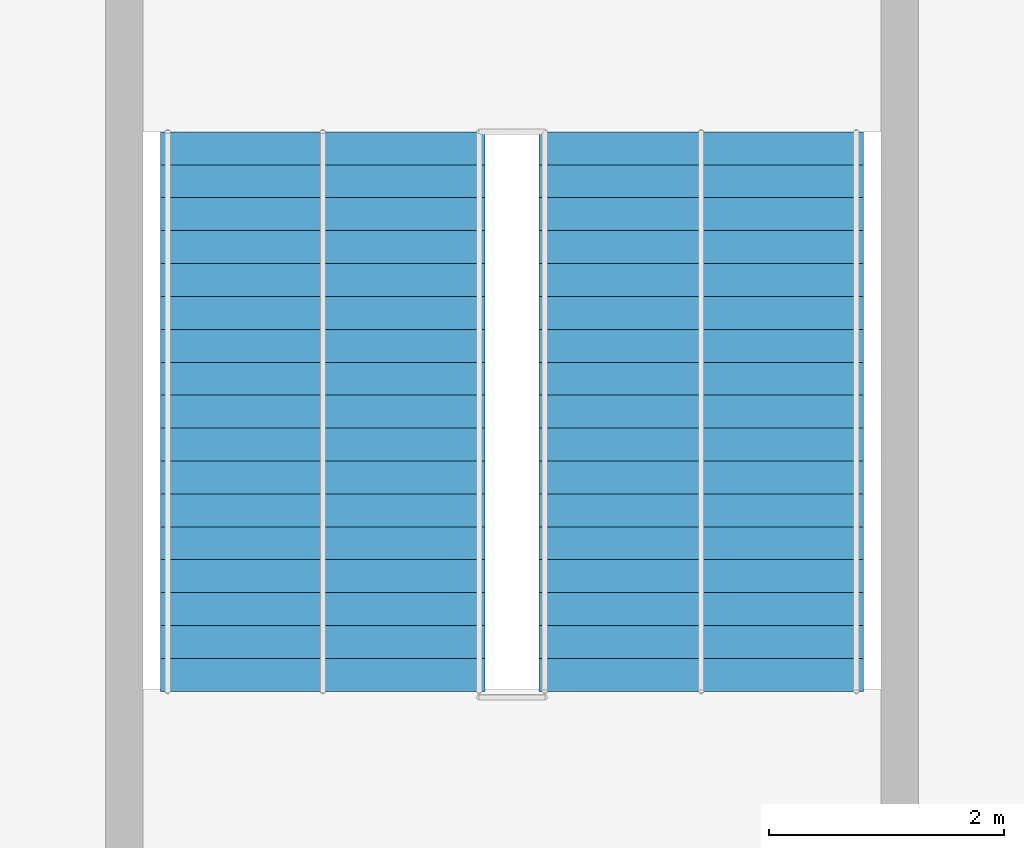
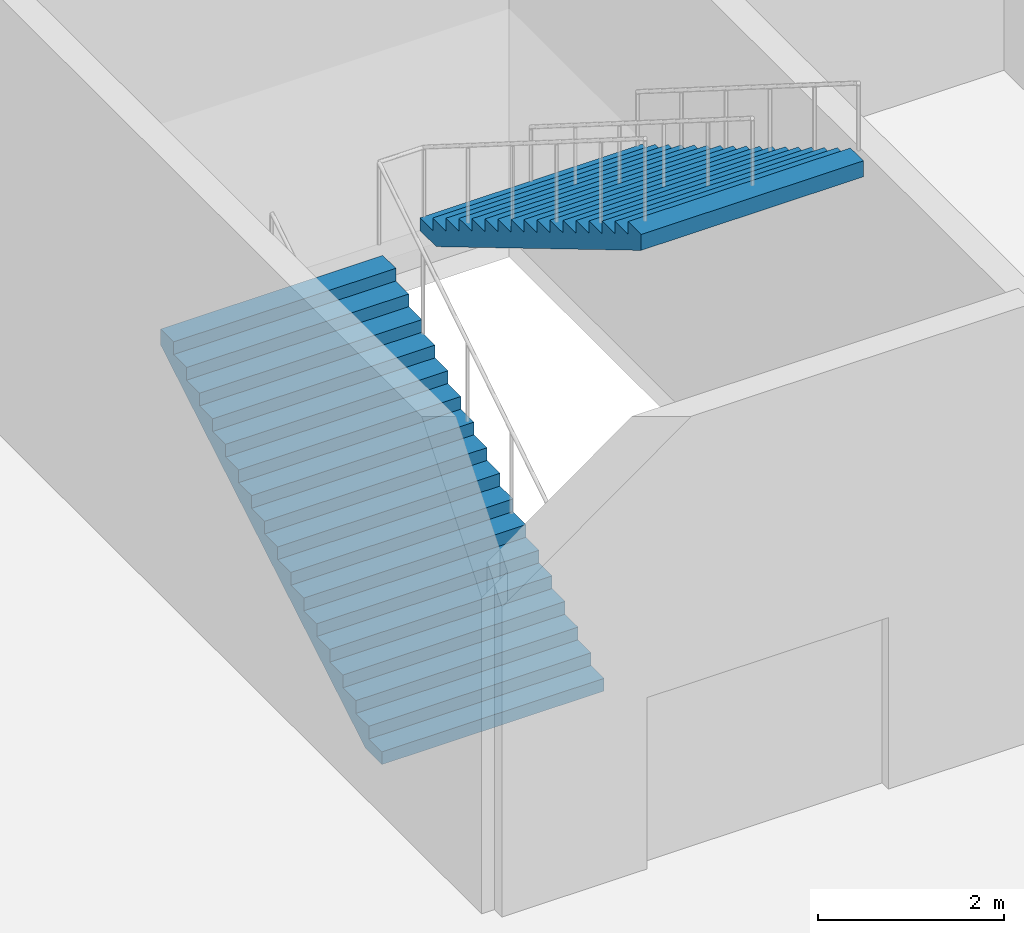
# One storey, part 67 of 84: 2 stair flights, 1 element without a shape of its own.
"""IFC4 building model written with IfcOpenShell, lengths in metres."""

from ifc_helpers import new_model, si_unit, direction, frame, origin, place, context, subcontext, project, spatial, polygons, material, type_object, element, aggregate, save


model = new_model("IFC4")

# Units and contexts
model_context = context("Model", 3, precision=1e-05, world=origin(), true_north=direction((0.0, 1.0)))
body_context = subcontext(model_context, "Body", "Model", "MODEL_VIEW")
ifc_project = project(units=[si_unit("LENGTHUNIT", "METRE"), si_unit("AREAUNIT", "SQUARE_METRE"), si_unit("VOLUMEUNIT", "CUBIC_METRE"), si_unit("PLANEANGLEUNIT", "RADIAN"), si_unit("MASSUNIT", "GRAM", prefix="KILO")], contexts=[model_context])

# Site, building, storey
site_placement = place(None, origin())
site = spatial("IfcSite", under=ifc_project, at=site_placement, CompositionType="ELEMENT")
building_placement = place(site_placement, origin())
building = spatial("IfcBuilding", under=site, at=building_placement, Name="Kisiwana Market Hall", CompositionType="ELEMENT")
storey_placement = place(building_placement, origin())
storey = spatial("IfcBuildingStorey", under=building, at=storey_placement, Name="L00", CompositionType="ELEMENT", Elevation=0.0)

# Stair, stair flights
ifc_material_1 = material(Name="Concrete C32/40", Category="concrete")
stair_type = type_object("IfcStairType", Name="ST-ESC-6000", PredefinedType="TWO_STRAIGHT_RUN_STAIR", material=ifc_material_1)
stair_placement = place(storey_placement, origin())
stair = element("IfcStair", 1, at=stair_placement, inside=storey, type_object=stair_type, Name="Escape stair ST-N6-L00", PredefinedType="TWO_STRAIGHT_RUN_STAIR")
ifc_material_2 = material(Name="Concrete C32/40", Category="concrete")
stair_flight_type = type_object("IfcStairFlightType", Name="SF-ESC-6000", PredefinedType="STRAIGHT", material=ifc_material_2)
stair_flight_1_placement = place(storey_placement, frame((141.989990234375, 92.760009765625, 0.0), z_axis=(0.0, 0.0, 1.0), x_axis=(0.0, 1.0, 0.0)))
stair_flight_1 = element("IfcStairFlight", 2, at=stair_flight_1_placement, type_object=stair_flight_type, Name="ST-N6-L00 flight 1", NumberOfRisers=18, NumberOfTreads=17, PredefinedType="STRAIGHT", RiserHeight=0.166667, TreadLength=0.28, context=body_context, shape_type="Tessellation", body=[
    polygons([(0.0, -1.380127, 0.0), (0.0, -0.690125, 0.0), (0.0, -0.000122, 0.0), (0.0, 0.68988, 0.0), (0.0, 1.379883, 0.0), (0.0, -1.380127, 0.166748), (0.0, -0.690125, 0.166748), (0.0, -0.000122, 0.166748), (0.0, 0.68988, 0.166748), (0.0, 1.379883, 0.166748), (0.280029, -1.380127, 0.166748), (0.280029, -0.690125, 0.166748), (0.280029, -0.000122, 0.166748), (0.280029, 0.68988, 0.166748), (0.280029, 1.379883, 0.166748), (0.280029, -1.380127, 0.333252), (0.280029, -0.690125, 0.333252), (0.280029, -0.000122, 0.333252), (0.280029, 0.68988, 0.333252), (0.280029, 1.379883, 0.333252), (0.560059, -1.380127, 0.333252), (0.560059, -0.690125, 0.333252), (0.560059, -0.000122, 0.333252), (0.560059, 0.68988, 0.333252), (0.560059, 1.379883, 0.333252), (0.560059, -1.380127, 0.5), (0.560059, -0.690125, 0.5), (0.560059, -0.000122, 0.5), (0.560059, 0.68988, 0.5), (0.560059, 1.379883, 0.5), (0.840088, -1.380127, 0.5), (0.840088, -0.690125, 0.5), (0.840088, -0.000122, 0.5), (0.840088, 0.68988, 0.5), (0.840088, 1.379883, 0.5), (0.840088, -1.380127, 0.666748), (0.840088, -0.690125, 0.666748), (0.840088, -0.000122, 0.666748), (0.840088, 0.68988, 0.666748), (0.840088, 1.379883, 0.666748), (1.120117, -1.380127, 0.666748), (1.120117, -0.690125, 0.666748), (1.120117, -0.000122, 0.666748), (1.120117, 0.68988, 0.666748), (1.120117, 1.379883, 0.666748), (1.120117, -1.380127, 0.833252), (1.120117, -0.690125, 0.833252), (1.120117, -0.000122, 0.833252), (1.120117, 0.68988, 0.833252), (1.120117, 1.379883, 0.833252), (1.399902, -1.380127, 0.833252), (1.399902, -0.690125, 0.833252), (1.399902, -0.000122, 0.833252), (1.399902, 0.68988, 0.833252), (1.399902, 1.379883, 0.833252), (1.399902, -1.380127, 1.0), (1.399902, -0.690125, 1.0), (1.399902, -0.000122, 1.0), (1.399902, 0.68988, 1.0), (1.399902, 1.379883, 1.0), (1.679932, -1.380127, 1.0), (1.679932, -0.690125, 1.0), (1.679932, -0.000122, 1.0), (1.679932, 0.68988, 1.0), (1.679932, 1.379883, 1.0), (1.679932, -1.380127, 1.166748), (1.679932, -0.690125, 1.166748), (1.679932, -0.000122, 1.166748), (1.679932, 0.68988, 1.166748), (1.679932, 1.379883, 1.166748), (1.959961, -1.380127, 1.166748), (1.959961, -0.690125, 1.166748), (1.959961, -0.000122, 1.166748), (1.959961, 0.68988, 1.166748), (1.959961, 1.379883, 1.166748), (1.959961, -1.380127, 1.333252), (1.959961, -0.690125, 1.333252), (1.959961, -0.000122, 1.333252), (1.959961, 0.68988, 1.333252), (1.959961, 1.379883, 1.333252), (2.23999, -1.380127, 1.333252), (2.23999, -0.690125, 1.333252), (2.23999, -0.000122, 1.333252), (2.23999, 0.68988, 1.333252), (2.23999, 1.379883, 1.333252), (2.23999, -1.380127, 1.5), (2.23999, -0.690125, 1.5), (2.23999, -0.000122, 1.5), (2.23999, 0.68988, 1.5), (2.23999, 1.379883, 1.5), (2.52002, -1.380127, 1.5), (2.52002, -0.690125, 1.5), (2.52002, -0.000122, 1.5), (2.52002, 0.68988, 1.5), (2.52002, 1.379883, 1.5), (2.52002, -1.380127, 1.666748), (2.52002, -0.690125, 1.666748), (2.52002, -0.000122, 1.666748), (2.52002, 0.68988, 1.666748), (2.52002, 1.379883, 1.666748), (2.800049, -1.380127, 1.666748), (2.800049, -0.690125, 1.666748), (2.800049, -0.000122, 1.666748), (2.800049, 0.68988, 1.666748), (2.800049, 1.379883, 1.666748), (2.800049, -1.380127, 1.833252), (2.800049, -0.690125, 1.833252), (2.800049, -0.000122, 1.833252), (2.800049, 0.68988, 1.833252), (2.800049, 1.379883, 1.833252), (3.080078, -1.380127, 1.833252), (3.080078, -0.690125, 1.833252), (3.080078, -0.000122, 1.833252), (3.080078, 0.68988, 1.833252), (3.080078, 1.379883, 1.833252), (3.080078, -1.380127, 2.0), (3.080078, -0.690125, 2.0), (3.080078, -0.000122, 2.0), (3.080078, 0.68988, 2.0), (3.080078, 1.379883, 2.0), (3.360107, -1.380127, 2.0), (3.360107, -0.690125, 2.0), (3.360107, -0.000122, 2.0), (3.360107, 0.68988, 2.0), (3.360107, 1.379883, 2.0), (3.360107, -1.380127, 2.166748), (3.360107, -0.690125, 2.166748), (3.360107, -0.000122, 2.166748), (3.360107, 0.68988, 2.166748), (3.360107, 1.379883, 2.166748), (3.639893, -1.380127, 2.166748), (3.639893, -0.690125, 2.166748), (3.639893, -0.000122, 2.166748), (3.639893, 0.68988, 2.166748), (3.639893, 1.379883, 2.166748), (3.639893, -1.380127, 2.333252), (3.639893, -0.690125, 2.333252), (3.639893, -0.000122, 2.333252), (3.639893, 0.68988, 2.333252), (3.639893, 1.379883, 2.333252), (3.919922, -1.380127, 2.333252), (3.919922, -0.690125, 2.333252), (3.919922, -0.000122, 2.333252), (3.919922, 0.68988, 2.333252), (3.919922, 1.379883, 2.333252), (3.919922, -1.380127, 2.5), (3.919922, -0.690125, 2.5), (3.919922, -0.000122, 2.5), (3.919922, 0.68988, 2.5), (3.919922, 1.379883, 2.5), (4.199951, -1.380127, 2.5), (4.199951, -0.690125, 2.5), (4.199951, -0.000122, 2.5), (4.199951, 0.68988, 2.5), (4.199951, 1.379883, 2.5), (4.199951, -1.380127, 2.666748), (4.199951, -0.690125, 2.666748), (4.199951, -0.000122, 2.666748), (4.199951, 0.68988, 2.666748), (4.199951, 1.379883, 2.666748), (4.47998, -1.380127, 2.666748), (4.47998, -0.690125, 2.666748), (4.47998, -0.000122, 2.666748), (4.47998, 0.68988, 2.666748), (4.47998, 1.379883, 2.666748), (4.47998, -1.380127, 2.833252), (4.47998, -0.690125, 2.833252), (4.47998, -0.000122, 2.833252), (4.47998, 0.68988, 2.833252), (4.47998, 1.379883, 2.833252), (4.76001, -1.380127, 2.833252), (4.76001, -0.690125, 2.833252), (4.76001, -0.000122, 2.833252), (4.76001, 0.68988, 2.833252), (4.76001, 1.379883, 2.833252), (4.76001, -1.380127, 2.624023), (4.76001, -0.690125, 2.624023), (4.76001, -0.000122, 2.624023), (4.76001, 0.68988, 2.624023), (4.76001, 1.379883, 2.624023), (0.351807, -1.380127, 0.0), (0.351807, -0.690125, 0.0), (0.351807, -0.000122, 0.0), (0.351807, 0.68988, 0.0), (0.351807, 1.379883, 0.0)], [[[1, 6, 7, 2]], [[2, 7, 8, 3]], [[3, 8, 9, 4]], [[4, 9, 10, 5]], [[6, 11, 12, 7]], [[7, 12, 13, 8]], [[8, 13, 14, 9]], [[9, 14, 15, 10]], [[11, 16, 17, 12]], [[12, 17, 18, 13]], [[13, 18, 19, 14]], [[14, 19, 20, 15]], [[16, 21, 22, 17]], [[17, 22, 23, 18]], [[18, 23, 24, 19]], [[19, 24, 25, 20]], [[21, 26, 27, 22]], [[22, 27, 28, 23]], [[23, 28, 29, 24]], [[24, 29, 30, 25]], [[26, 31, 32, 27]], [[27, 32, 33, 28]], [[28, 33, 34, 29]], [[29, 34, 35, 30]], [[31, 36, 37, 32]], [[32, 37, 38, 33]], [[33, 38, 39, 34]], [[34, 39, 40, 35]], [[36, 41, 42, 37]], [[37, 42, 43, 38]], [[38, 43, 44, 39]], [[39, 44, 45, 40]], [[41, 46, 47, 42]], [[42, 47, 48, 43]], [[43, 48, 49, 44]], [[44, 49, 50, 45]], [[46, 51, 52, 47]], [[47, 52, 53, 48]], [[48, 53, 54, 49]], [[49, 54, 55, 50]], [[51, 56, 57, 52]], [[52, 57, 58, 53]], [[53, 58, 59, 54]], [[54, 59, 60, 55]], [[56, 61, 62, 57]], [[57, 62, 63, 58]], [[58, 63, 64, 59]], [[59, 64, 65, 60]], [[61, 66, 67, 62]], [[62, 67, 68, 63]], [[63, 68, 69, 64]], [[64, 69, 70, 65]], [[66, 71, 72, 67]], [[67, 72, 73, 68]], [[68, 73, 74, 69]], [[69, 74, 75, 70]], [[71, 76, 77, 72]], [[72, 77, 78, 73]], [[73, 78, 79, 74]], [[74, 79, 80, 75]], [[76, 81, 82, 77]], [[77, 82, 83, 78]], [[78, 83, 84, 79]], [[79, 84, 85, 80]], [[81, 86, 87, 82]], [[82, 87, 88, 83]], [[83, 88, 89, 84]], [[84, 89, 90, 85]], [[86, 91, 92, 87]], [[87, 92, 93, 88]], [[88, 93, 94, 89]], [[89, 94, 95, 90]], [[91, 96, 97, 92]], [[92, 97, 98, 93]], [[93, 98, 99, 94]], [[94, 99, 100, 95]], [[96, 101, 102, 97]], [[97, 102, 103, 98]], [[98, 103, 104, 99]], [[99, 104, 105, 100]], [[101, 106, 107, 102]], [[102, 107, 108, 103]], [[103, 108, 109, 104]], [[104, 109, 110, 105]], [[106, 111, 112, 107]], [[107, 112, 113, 108]], [[108, 113, 114, 109]], [[109, 114, 115, 110]], [[111, 116, 117, 112]], [[112, 117, 118, 113]], [[113, 118, 119, 114]], [[114, 119, 120, 115]], [[116, 121, 122, 117]], [[117, 122, 123, 118]], [[118, 123, 124, 119]], [[119, 124, 125, 120]], [[121, 126, 127, 122]], [[122, 127, 128, 123]], [[123, 128, 129, 124]], [[124, 129, 130, 125]], [[126, 131, 132, 127]], [[127, 132, 133, 128]], [[128, 133, 134, 129]], [[129, 134, 135, 130]], [[131, 136, 137, 132]], [[132, 137, 138, 133]], [[133, 138, 139, 134]], [[134, 139, 140, 135]], [[136, 141, 142, 137]], [[137, 142, 143, 138]], [[138, 143, 144, 139]], [[139, 144, 145, 140]], [[141, 146, 147, 142]], [[142, 147, 148, 143]], [[143, 148, 149, 144]], [[144, 149, 150, 145]], [[146, 151, 152, 147]], [[147, 152, 153, 148]], [[148, 153, 154, 149]], [[149, 154, 155, 150]], [[151, 156, 157, 152]], [[152, 157, 158, 153]], [[153, 158, 159, 154]], [[154, 159, 160, 155]], [[156, 161, 162, 157]], [[157, 162, 163, 158]], [[158, 163, 164, 159]], [[159, 164, 165, 160]], [[161, 166, 167, 162]], [[162, 167, 168, 163]], [[163, 168, 169, 164]], [[164, 169, 170, 165]], [[166, 171, 172, 167]], [[167, 172, 173, 168]], [[168, 173, 174, 169]], [[169, 174, 175, 170]], [[171, 176, 177, 172]], [[172, 177, 178, 173]], [[173, 178, 179, 174]], [[174, 179, 180, 175]], [[176, 181, 182, 177]], [[177, 182, 183, 178]], [[178, 183, 184, 179]], [[179, 184, 185, 180]], [[181, 1, 2, 182]], [[182, 2, 3, 183]], [[183, 3, 4, 184]], [[184, 4, 5, 185]], [[181, 176, 171, 166, 161, 156, 151, 146, 141, 136, 131, 126, 121, 116, 111, 106, 101, 96, 91, 86, 81, 76, 71, 66, 61, 56, 51, 46, 41, 36, 31, 26, 21, 16, 11, 6, 1]], [[5, 10, 15, 20, 25, 30, 35, 40, 45, 50, 55, 60, 65, 70, 75, 80, 85, 90, 95, 100, 105, 110, 115, 120, 125, 130, 135, 140, 145, 150, 155, 160, 165, 170, 175, 180, 185]]], closed=True),
])
stair_flight_2_placement = place(storey_placement, frame((145.2099609375, 97.52001953125, 3.0), z_axis=(0.0, 0.0, 1.0), x_axis=(0.0, -1.0, 0.0)))
stair_flight_2 = element("IfcStairFlight", 3, at=stair_flight_2_placement, type_object=stair_flight_type, Name="ST-N6-L00 flight 2", NumberOfRisers=18, NumberOfTreads=17, PredefinedType="STRAIGHT", RiserHeight=0.166667, TreadLength=0.28, context=body_context, shape_type="Tessellation", body=[
    polygons([(0.0, -1.380127, 0.0), (0.0, -0.690125, 0.0), (0.0, -0.000122, 0.0), (0.0, 0.68988, 0.0), (0.0, 1.379883, 0.0), (0.0, -1.380127, 0.166748), (0.0, -0.690125, 0.166748), (0.0, -0.000122, 0.166748), (0.0, 0.68988, 0.166748), (0.0, 1.379883, 0.166748), (0.280029, -1.380127, 0.166748), (0.280029, -0.690125, 0.166748), (0.280029, -0.000122, 0.166748), (0.280029, 0.68988, 0.166748), (0.280029, 1.379883, 0.166748), (0.280029, -1.380127, 0.333252), (0.280029, -0.690125, 0.333252), (0.280029, -0.000122, 0.333252), (0.280029, 0.68988, 0.333252), (0.280029, 1.379883, 0.333252), (0.560059, -1.380127, 0.333252), (0.560059, -0.690125, 0.333252), (0.560059, -0.000122, 0.333252), (0.560059, 0.68988, 0.333252), (0.560059, 1.379883, 0.333252), (0.560059, -1.380127, 0.5), (0.560059, -0.690125, 0.5), (0.560059, -0.000122, 0.5), (0.560059, 0.68988, 0.5), (0.560059, 1.379883, 0.5), (0.840088, -1.380127, 0.5), (0.840088, -0.690125, 0.5), (0.840088, -0.000122, 0.5), (0.840088, 0.68988, 0.5), (0.840088, 1.379883, 0.5), (0.840088, -1.380127, 0.666748), (0.840088, -0.690125, 0.666748), (0.840088, -0.000122, 0.666748), (0.840088, 0.68988, 0.666748), (0.840088, 1.379883, 0.666748), (1.120117, -1.380127, 0.666748), (1.120117, -0.690125, 0.666748), (1.120117, -0.000122, 0.666748), (1.120117, 0.68988, 0.666748), (1.120117, 1.379883, 0.666748), (1.120117, -1.380127, 0.833252), (1.120117, -0.690125, 0.833252), (1.120117, -0.000122, 0.833252), (1.120117, 0.68988, 0.833252), (1.120117, 1.379883, 0.833252), (1.399902, -1.380127, 0.833252), (1.399902, -0.690125, 0.833252), (1.399902, -0.000122, 0.833252), (1.399902, 0.68988, 0.833252), (1.399902, 1.379883, 0.833252), (1.399902, -1.380127, 1.0), (1.399902, -0.690125, 1.0), (1.399902, -0.000122, 1.0), (1.399902, 0.68988, 1.0), (1.399902, 1.379883, 1.0), (1.679932, -1.380127, 1.0), (1.679932, -0.690125, 1.0), (1.679932, -0.000122, 1.0), (1.679932, 0.68988, 1.0), (1.679932, 1.379883, 1.0), (1.679932, -1.380127, 1.166748), (1.679932, -0.690125, 1.166748), (1.679932, -0.000122, 1.166748), (1.679932, 0.68988, 1.166748), (1.679932, 1.379883, 1.166748), (1.959961, -1.380127, 1.166748), (1.959961, -0.690125, 1.166748), (1.959961, -0.000122, 1.166748), (1.959961, 0.68988, 1.166748), (1.959961, 1.379883, 1.166748), (1.959961, -1.380127, 1.333252), (1.959961, -0.690125, 1.333252), (1.959961, -0.000122, 1.333252), (1.959961, 0.68988, 1.333252), (1.959961, 1.379883, 1.333252), (2.23999, -1.380127, 1.333252), (2.23999, -0.690125, 1.333252), (2.23999, -0.000122, 1.333252), (2.23999, 0.68988, 1.333252), (2.23999, 1.379883, 1.333252), (2.23999, -1.380127, 1.5), (2.23999, -0.690125, 1.5), (2.23999, -0.000122, 1.5), (2.23999, 0.68988, 1.5), (2.23999, 1.379883, 1.5), (2.52002, -1.380127, 1.5), (2.52002, -0.690125, 1.5), (2.52002, -0.000122, 1.5), (2.52002, 0.68988, 1.5), (2.52002, 1.379883, 1.5), (2.52002, -1.380127, 1.666748), (2.52002, -0.690125, 1.666748), (2.52002, -0.000122, 1.666748), (2.52002, 0.68988, 1.666748), (2.52002, 1.379883, 1.666748), (2.800049, -1.380127, 1.666748), (2.800049, -0.690125, 1.666748), (2.800049, -0.000122, 1.666748), (2.800049, 0.68988, 1.666748), (2.800049, 1.379883, 1.666748), (2.800049, -1.380127, 1.833252), (2.800049, -0.690125, 1.833252), (2.800049, -0.000122, 1.833252), (2.800049, 0.68988, 1.833252), (2.800049, 1.379883, 1.833252), (3.080078, -1.380127, 1.833252), (3.080078, -0.690125, 1.833252), (3.080078, -0.000122, 1.833252), (3.080078, 0.68988, 1.833252), (3.080078, 1.379883, 1.833252), (3.080078, -1.380127, 2.0), (3.080078, -0.690125, 2.0), (3.080078, -0.000122, 2.0), (3.080078, 0.68988, 2.0), (3.080078, 1.379883, 2.0), (3.360107, -1.380127, 2.0), (3.360107, -0.690125, 2.0), (3.360107, -0.000122, 2.0), (3.360107, 0.68988, 2.0), (3.360107, 1.379883, 2.0), (3.360107, -1.380127, 2.166748), (3.360107, -0.690125, 2.166748), (3.360107, -0.000122, 2.166748), (3.360107, 0.68988, 2.166748), (3.360107, 1.379883, 2.166748), (3.639893, -1.380127, 2.166748), (3.639893, -0.690125, 2.166748), (3.639893, -0.000122, 2.166748), (3.639893, 0.68988, 2.166748), (3.639893, 1.379883, 2.166748), (3.639893, -1.380127, 2.333252), (3.639893, -0.690125, 2.333252), (3.639893, -0.000122, 2.333252), (3.639893, 0.68988, 2.333252), (3.639893, 1.379883, 2.333252), (3.919922, -1.380127, 2.333252), (3.919922, -0.690125, 2.333252), (3.919922, -0.000122, 2.333252), (3.919922, 0.68988, 2.333252), (3.919922, 1.379883, 2.333252), (3.919922, -1.380127, 2.5), (3.919922, -0.690125, 2.5), (3.919922, -0.000122, 2.5), (3.919922, 0.68988, 2.5), (3.919922, 1.379883, 2.5), (4.199951, -1.380127, 2.5), (4.199951, -0.690125, 2.5), (4.199951, -0.000122, 2.5), (4.199951, 0.68988, 2.5), (4.199951, 1.379883, 2.5), (4.199951, -1.380127, 2.666748), (4.199951, -0.690125, 2.666748), (4.199951, -0.000122, 2.666748), (4.199951, 0.68988, 2.666748), (4.199951, 1.379883, 2.666748), (4.47998, -1.380127, 2.666748), (4.47998, -0.690125, 2.666748), (4.47998, -0.000122, 2.666748), (4.47998, 0.68988, 2.666748), (4.47998, 1.379883, 2.666748), (4.47998, -1.380127, 2.833252), (4.47998, -0.690125, 2.833252), (4.47998, -0.000122, 2.833252), (4.47998, 0.68988, 2.833252), (4.47998, 1.379883, 2.833252), (4.76001, -1.380127, 2.833252), (4.76001, -0.690125, 2.833252), (4.76001, -0.000122, 2.833252), (4.76001, 0.68988, 2.833252), (4.76001, 1.379883, 2.833252), (4.76001, -1.380127, 2.624023), (4.76001, -0.690125, 2.624023), (4.76001, -0.000122, 2.624023), (4.76001, 0.68988, 2.624023), (4.76001, 1.379883, 2.624023), (0.351807, -1.380127, 0.0), (0.351807, -0.690125, 0.0), (0.351807, -0.000122, 0.0), (0.351807, 0.68988, 0.0), (0.351807, 1.379883, 0.0)], [[[1, 6, 7, 2]], [[2, 7, 8, 3]], [[3, 8, 9, 4]], [[4, 9, 10, 5]], [[6, 11, 12, 7]], [[7, 12, 13, 8]], [[8, 13, 14, 9]], [[9, 14, 15, 10]], [[11, 16, 17, 12]], [[12, 17, 18, 13]], [[13, 18, 19, 14]], [[14, 19, 20, 15]], [[16, 21, 22, 17]], [[17, 22, 23, 18]], [[18, 23, 24, 19]], [[19, 24, 25, 20]], [[21, 26, 27, 22]], [[22, 27, 28, 23]], [[23, 28, 29, 24]], [[24, 29, 30, 25]], [[26, 31, 32, 27]], [[27, 32, 33, 28]], [[28, 33, 34, 29]], [[29, 34, 35, 30]], [[31, 36, 37, 32]], [[32, 37, 38, 33]], [[33, 38, 39, 34]], [[34, 39, 40, 35]], [[36, 41, 42, 37]], [[37, 42, 43, 38]], [[38, 43, 44, 39]], [[39, 44, 45, 40]], [[41, 46, 47, 42]], [[42, 47, 48, 43]], [[43, 48, 49, 44]], [[44, 49, 50, 45]], [[46, 51, 52, 47]], [[47, 52, 53, 48]], [[48, 53, 54, 49]], [[49, 54, 55, 50]], [[51, 56, 57, 52]], [[52, 57, 58, 53]], [[53, 58, 59, 54]], [[54, 59, 60, 55]], [[56, 61, 62, 57]], [[57, 62, 63, 58]], [[58, 63, 64, 59]], [[59, 64, 65, 60]], [[61, 66, 67, 62]], [[62, 67, 68, 63]], [[63, 68, 69, 64]], [[64, 69, 70, 65]], [[66, 71, 72, 67]], [[67, 72, 73, 68]], [[68, 73, 74, 69]], [[69, 74, 75, 70]], [[71, 76, 77, 72]], [[72, 77, 78, 73]], [[73, 78, 79, 74]], [[74, 79, 80, 75]], [[76, 81, 82, 77]], [[77, 82, 83, 78]], [[78, 83, 84, 79]], [[79, 84, 85, 80]], [[81, 86, 87, 82]], [[82, 87, 88, 83]], [[83, 88, 89, 84]], [[84, 89, 90, 85]], [[86, 91, 92, 87]], [[87, 92, 93, 88]], [[88, 93, 94, 89]], [[89, 94, 95, 90]], [[91, 96, 97, 92]], [[92, 97, 98, 93]], [[93, 98, 99, 94]], [[94, 99, 100, 95]], [[96, 101, 102, 97]], [[97, 102, 103, 98]], [[98, 103, 104, 99]], [[99, 104, 105, 100]], [[101, 106, 107, 102]], [[102, 107, 108, 103]], [[103, 108, 109, 104]], [[104, 109, 110, 105]], [[106, 111, 112, 107]], [[107, 112, 113, 108]], [[108, 113, 114, 109]], [[109, 114, 115, 110]], [[111, 116, 117, 112]], [[112, 117, 118, 113]], [[113, 118, 119, 114]], [[114, 119, 120, 115]], [[116, 121, 122, 117]], [[117, 122, 123, 118]], [[118, 123, 124, 119]], [[119, 124, 125, 120]], [[121, 126, 127, 122]], [[122, 127, 128, 123]], [[123, 128, 129, 124]], [[124, 129, 130, 125]], [[126, 131, 132, 127]], [[127, 132, 133, 128]], [[128, 133, 134, 129]], [[129, 134, 135, 130]], [[131, 136, 137, 132]], [[132, 137, 138, 133]], [[133, 138, 139, 134]], [[134, 139, 140, 135]], [[136, 141, 142, 137]], [[137, 142, 143, 138]], [[138, 143, 144, 139]], [[139, 144, 145, 140]], [[141, 146, 147, 142]], [[142, 147, 148, 143]], [[143, 148, 149, 144]], [[144, 149, 150, 145]], [[146, 151, 152, 147]], [[147, 152, 153, 148]], [[148, 153, 154, 149]], [[149, 154, 155, 150]], [[151, 156, 157, 152]], [[152, 157, 158, 153]], [[153, 158, 159, 154]], [[154, 159, 160, 155]], [[156, 161, 162, 157]], [[157, 162, 163, 158]], [[158, 163, 164, 159]], [[159, 164, 165, 160]], [[161, 166, 167, 162]], [[162, 167, 168, 163]], [[163, 168, 169, 164]], [[164, 169, 170, 165]], [[166, 171, 172, 167]], [[167, 172, 173, 168]], [[168, 173, 174, 169]], [[169, 174, 175, 170]], [[171, 176, 177, 172]], [[172, 177, 178, 173]], [[173, 178, 179, 174]], [[174, 179, 180, 175]], [[176, 181, 182, 177]], [[177, 182, 183, 178]], [[178, 183, 184, 179]], [[179, 184, 185, 180]], [[181, 1, 2, 182]], [[182, 2, 3, 183]], [[183, 3, 4, 184]], [[184, 4, 5, 185]], [[181, 176, 171, 166, 161, 156, 151, 146, 141, 136, 131, 126, 121, 116, 111, 106, 101, 96, 91, 86, 81, 76, 71, 66, 61, 56, 51, 46, 41, 36, 31, 26, 21, 16, 11, 6, 1]], [[5, 10, 15, 20, 25, 30, 35, 40, 45, 50, 55, 60, 65, 70, 75, 80, 85, 90, 95, 100, 105, 110, 115, 120, 125, 130, 135, 140, 145, 150, 155, 160, 165, 170, 175, 180, 185]]], closed=True),
])
aggregate(stair, [stair_flight_1, stair_flight_2])

save(model, "model.ifc")
